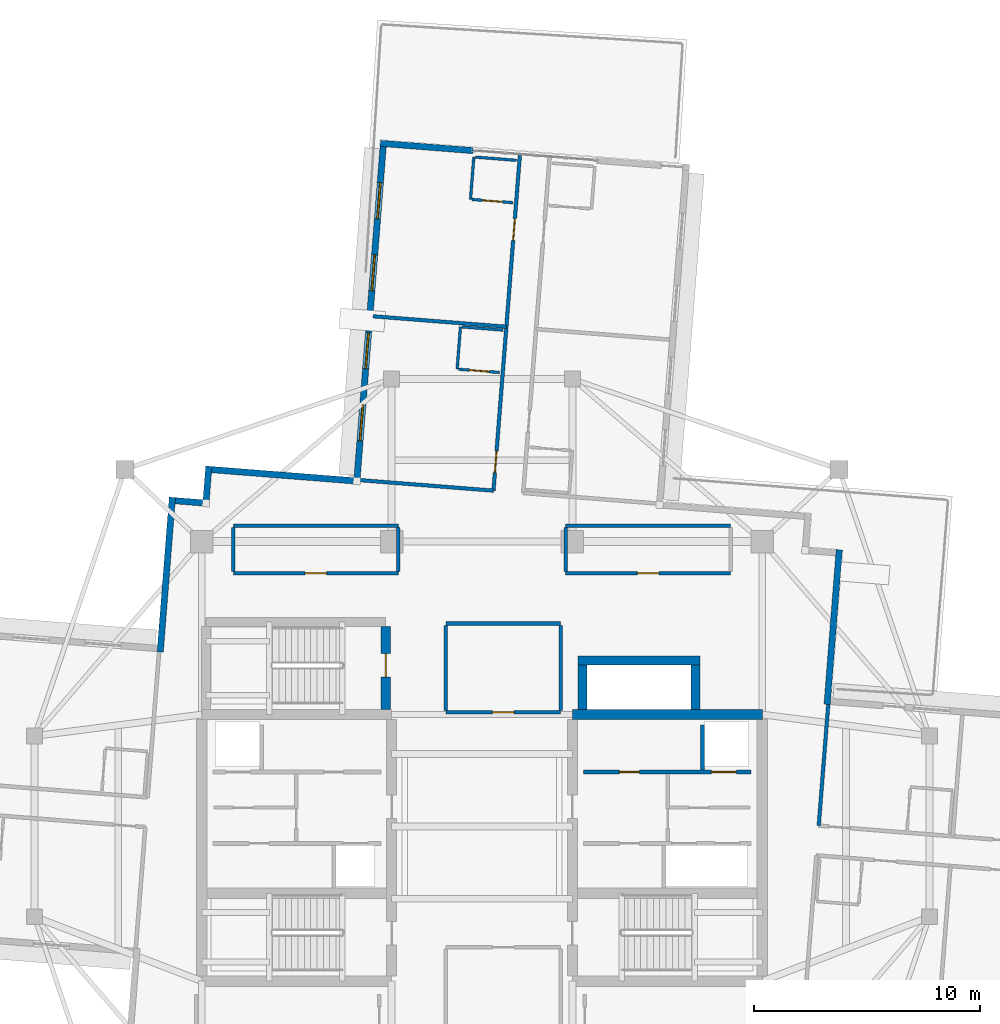
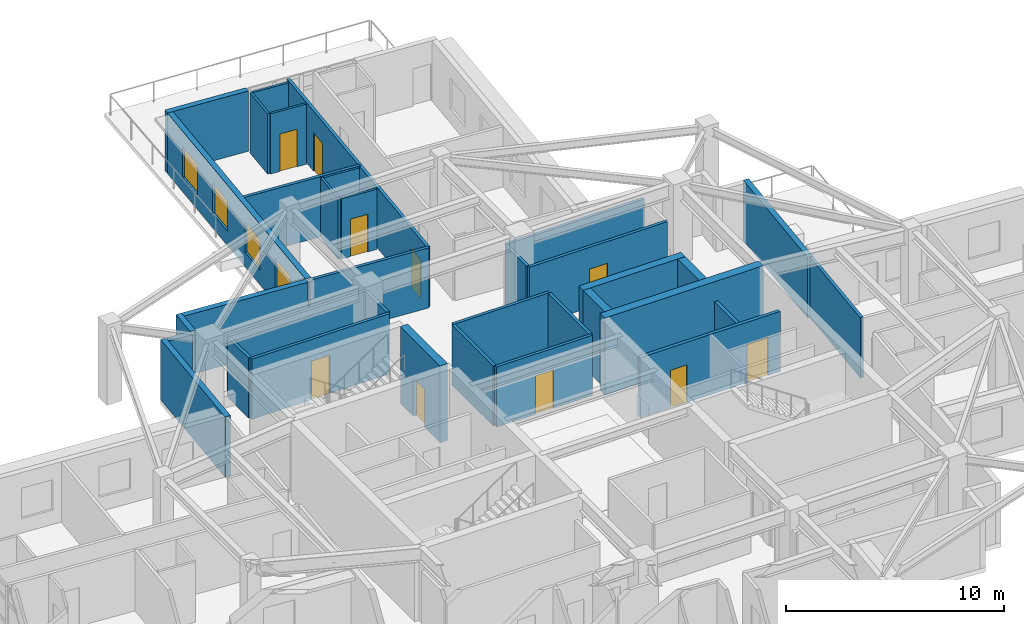
# One storey, part 17 of 23: 35 walls, 10 doors, 4 windows, 14 openings.
"""IFC4 building model written with IfcOpenShell, lengths in metres."""

from ifc_helpers import new_model, si_unit, direction, frame, frame_2d, origin, place, context, subcontext, project, spatial, rectangle, extrude, material, layer, layer_set, type_object, element, fill, save


model = new_model("IFC4")

# Units and contexts
model_context = context("Model", 3, precision=1e-05, world=origin(), true_north=direction((0.0, 1.0)))
body_context = subcontext(model_context, "Body", "Model", "MODEL_VIEW")
ifc_project = project(units=[si_unit("LENGTHUNIT", "METRE"), si_unit("AREAUNIT", "SQUARE_METRE"), si_unit("VOLUMEUNIT", "CUBIC_METRE"), si_unit("PLANEANGLEUNIT", "RADIAN"), si_unit("MASSUNIT", "GRAM", prefix="KILO")], contexts=[model_context])

# Site, building, storey
site_placement = place(None, origin())
site = spatial("IfcSite", under=ifc_project, at=site_placement, CompositionType="ELEMENT")
building_placement = place(site_placement, origin())
building = spatial("IfcBuilding", under=site, at=building_placement, Name="Qingluan Cross Belvedere", CompositionType="ELEMENT")
storey_placement = place(building_placement, frame((0.0, 0.0, 245.39990234375)))
storey = spatial("IfcBuildingStorey", under=building, at=storey_placement, Name="L61", CompositionType="ELEMENT", Elevation=245.39990234375)

# Wall
ifc_material_1 = material(Name="Concrete C50", Category="concrete")
ifc_layer_1 = layer(ifc_material_1, 0.449951171875, Name="CoreShearWall_450")
ifc_layer_set_1 = layer_set([ifc_layer_1], Name="Concrete C50")
wall_type_1 = type_object("IfcWallType", Name="CoreShearWall_450", PredefinedType="SHEAR", material=ifc_layer_set_1)
wall_1_placement = place(storey_placement, frame((4.0, 4.949951171875, 0.0), z_axis=(0.0, 0.0, 1.0), x_axis=(1.0, 0.0, 0.0)))
element("IfcWall", 1, at=wall_1_placement, inside=storey, type_object=wall_type_1, Name="Split core E shear wall L61-N", PredefinedType="SHEAR", context=body_context, shape_type="SweptSolid", body=[
    extrude(rectangle(XDim=8.39990234375, YDim=0.449951171875, at=frame_2d((4.199951171875, 0.0))), origin(), (0.0, 0.0, 1.0), 4.300048828125),
])

# Wall, opening, door
wall_2_placement = place(storey_placement, frame((-4.260009765625, 5.179931640625, 0.0), z_axis=(0.0, 0.0, 1.0), x_axis=(0.0, 1.0, 0.0)))
wall_2 = element("IfcWall", 2, at=wall_2_placement, inside=storey, type_object=wall_type_1, Name="Stair ST3 structural wall E L61", PredefinedType="SHEAR", context=body_context, shape_type="SweptSolid", body=[
    extrude(rectangle(XDim=3.655029296875, YDim=0.39990234375, at=frame_2d((1.82763671875, 0.0))), origin(), (0.0, 0.0, 1.0), 4.300048828125),
])
opening_1_placement = place(wall_2_placement, frame((1.419921875, 0.0, 0.0)))
opening_1 = element("IfcOpeningElement", 3, at=opening_1_placement, cuts=wall_2, Name="Opening FD-B11", PredefinedType="OPENING", context=body_context, shape_type="SweptSolid", body=[
    extrude(rectangle(XDim=1.050048828125, YDim=2.14990234375, at=frame_2d((0.52490234375, 1.074951171875))), frame((0.0, 0.2099609375, 0.0), z_axis=(0.0, -1.0, 0.0), x_axis=(1.0, 0.0, 0.0)), (0.0, 0.0, 1.0), 0.419921875),
])
ifc_material_2 = material(Name="Steel Class B smoke-seal fire door", Category="steel")
door_type_1 = type_object("IfcDoorType", Name="StairLobbyFireDoor_FDB", OperationType="NOTDEFINED", PredefinedType="DOOR", material=ifc_material_2)
door_1_placement = place(opening_1_placement, origin())
door_1 = element("IfcDoor", 4, at=door_1_placement, inside=storey, type_object=door_type_1, Name="Smoke-proof stair ST3 fire door L61", OperationType="SINGLE_SWING_LEFT", OverallHeight=2.14990234375, OverallWidth=1.050048828125, PredefinedType="DOOR", context=body_context, shape_type="SweptSolid", body=[
    extrude(rectangle(XDim=1.050048828125, YDim=2.14990234375, at=frame_2d((0.52490234375, 1.074951171875))), frame((0.0, 0.02490234375, 0.0), z_axis=(0.0, -1.0, 0.0), x_axis=(1.0, 0.0, 0.0)), (0.0, 0.0, 1.0), 0.050048828125),
])
fill(opening_1, door_1)

# Walls
wall_3_placement = place(storey_placement, frame((4.449951171875, 5.179931640625, 0.0), z_axis=(0.0, 0.0, 1.0), x_axis=(0.0, 1.0, 0.0)))
element("IfcWall", 5, at=wall_3_placement, inside=storey, type_object=wall_type_1, Name="Express shuttle core wall L61-W", PredefinedType="SHEAR", context=body_context, shape_type="SweptSolid", body=[
    extrude(rectangle(XDim=1.9599609375, YDim=0.39990234375, at=frame_2d((0.97998046875, 0.0))), origin(), (0.0, 0.0, 1.0), 4.300048828125),
])
wall_4_placement = place(storey_placement, frame((4.25, 7.35009765625, 0.0), z_axis=(0.0, 0.0, 1.0), x_axis=(1.0, 0.0, 0.0)))
element("IfcWall", 6, at=wall_4_placement, inside=storey, type_object=wall_type_1, Name="Express shuttle core wall L61-N", PredefinedType="SHEAR", context=body_context, shape_type="SweptSolid", body=[
    extrude(rectangle(XDim=5.39990234375, YDim=0.39990234375, at=frame_2d((2.699951171875, 0.0))), origin(), (0.0, 0.0, 1.0), 4.300048828125),
])
wall_5_placement = place(storey_placement, frame((9.449951171875, 5.179931640625, 0.0), z_axis=(0.0, 0.0, 1.0), x_axis=(0.0, 1.0, 0.0)))
element("IfcWall", 7, at=wall_5_placement, inside=storey, type_object=wall_type_1, Name="Express shuttle core wall L61-E", PredefinedType="SHEAR", context=body_context, shape_type="SweptSolid", body=[
    extrude(rectangle(XDim=1.9599609375, YDim=0.39990234375, at=frame_2d((0.97998046875, 0.0))), origin(), (0.0, 0.0, 1.0), 4.300048828125),
])

# Wall, opening, door
ifc_material_3 = material(Name="Gypsum plasterboard on steel stud acoustic partition", Category="steel")
ifc_layer_2 = layer(ifc_material_3, 0.159912109375, Name="CorridorPartition_160")
ifc_layer_set_2 = layer_set([ifc_layer_2], Name="Gypsum plasterboard on steel stud acoustic partition")
wall_type_2 = type_object("IfcWallType", Name="CorridorPartition_160", PredefinedType="PARTITIONING", material=ifc_layer_set_2)
wall_6_placement = place(storey_placement, frame((-11.0, 11.199951171875, 0.0), z_axis=(0.0, 0.0, 1.0), x_axis=(1.0, 0.0, 0.0)))
wall_6 = element("IfcWall", 8, at=wall_6_placement, inside=storey, type_object=wall_type_2, Name="Partition L61:q_nw_occ:S", PredefinedType="PARTITIONING", context=body_context, shape_type="SweptSolid", body=[
    extrude(rectangle(XDim=7.300048828125, YDim=0.159912109375, at=frame_2d((3.64990234375, 0.0))), origin(), (0.0, 0.0, 1.0), 3.3701171875),
])
opening_2_placement = place(wall_6_placement, frame((3.169921875, 0.0, 0.0)))
opening_2 = element("IfcOpeningElement", 9, at=opening_2_placement, cuts=wall_6, Name="Opening GD-10", PredefinedType="OPENING", context=body_context, shape_type="SweptSolid", body=[
    extrude(rectangle(XDim=0.9599609375, YDim=2.14990234375, at=frame_2d((0.47998046875, 1.074951171875))), frame((0.0, 0.08984375, 0.0), z_axis=(0.0, -1.0, 0.0), x_axis=(1.0, 0.0, 0.0)), (0.0, 0.0, 1.0), 0.179931640625),
])
ifc_material_4 = material(Name="Timber oak fire-rated acoustic guestroom door", Category="wood")
door_type_2 = type_object("IfcDoorType", Name="GuestEntryDoor_FD60", OperationType="NOTDEFINED", PredefinedType="DOOR", material=ifc_material_4)
door_2_placement = place(opening_2_placement, origin())
door_2 = element("IfcDoor", 10, at=door_2_placement, inside=storey, type_object=door_type_2, Name="Northwest sky reading salon L61 door", OperationType="SINGLE_SWING_RIGHT", OverallHeight=2.14990234375, OverallWidth=0.9599609375, PredefinedType="DOOR", context=body_context, shape_type="SweptSolid", body=[
    extrude(rectangle(XDim=0.9599609375, YDim=2.14990234375, at=frame_2d((0.47998046875, 1.074951171875))), frame((0.0, 0.02490234375, 0.0), z_axis=(0.0, -1.0, 0.0), x_axis=(1.0, 0.0, 0.0)), (0.0, 0.0, 1.0), 0.050048828125),
])
fill(opening_2, door_2)

# Walls
wall_7_placement = place(storey_placement, frame((-11.0, 13.300048828125, 0.0), z_axis=(0.0, 0.0, 1.0), x_axis=(1.0, 0.0, 0.0)))
element("IfcWall", 11, at=wall_7_placement, inside=storey, type_object=wall_type_2, Name="Partition L61:q_nw_occ:N", PredefinedType="PARTITIONING", context=body_context, shape_type="SweptSolid", body=[
    extrude(rectangle(XDim=7.300048828125, YDim=0.159912109375, at=frame_2d((3.64990234375, 0.0))), origin(), (0.0, 0.0, 1.0), 3.3701171875),
])
for number, where, z_axis, x_axis, name in (
    (12, (-11.0, 11.284912109375, 0.0), (0.0, 0.0, 1.0), (0.0, 1.0, 0.0), "Partition L61:q_nw_occ:W"),
    (13, (-3.699951171875, 11.284912109375, 0.0), (0.0, 0.0, 1.0), (0.0, 1.0, 0.0), "Partition L61:q_nw_occ:E"),
):
    element("IfcWall", number, at=place(storey_placement, frame(where, z_axis=z_axis, x_axis=x_axis)), inside=storey, type_object=wall_type_2, Name=name, PredefinedType="PARTITIONING", context=body_context, shape_type="SweptSolid", body=[
        extrude(rectangle(XDim=1.93017578125, YDim=0.159912109375, at=frame_2d((0.965087890625, 0.0))), origin(), (0.0, 0.0, 1.0), 3.3701171875),
    ])

# Wall, opening, door
wall_8_placement = place(storey_placement, frame((3.699951171875, 11.199951171875, 0.0), z_axis=(0.0, 0.0, 1.0), x_axis=(1.0, 0.0, 0.0)))
wall_8 = element("IfcWall", 14, at=wall_8_placement, inside=storey, type_object=wall_type_2, Name="Partition L61:q_ne:S", PredefinedType="PARTITIONING", context=body_context, shape_type="SweptSolid", body=[
    extrude(rectangle(XDim=7.300048828125, YDim=0.159912109375, at=frame_2d((3.64990234375, 0.0))), origin(), (0.0, 0.0, 1.0), 3.3701171875),
])
opening_3_placement = place(wall_8_placement, frame((3.169921875, 0.0, 0.0)))
opening_3 = element("IfcOpeningElement", 15, at=opening_3_placement, cuts=wall_8, Name="Opening GD-10", PredefinedType="OPENING", context=body_context, shape_type="SweptSolid", body=[
    extrude(rectangle(XDim=0.9599609375, YDim=2.14990234375, at=frame_2d((0.47998046875, 1.074951171875))), frame((0.0, 0.08984375, 0.0), z_axis=(0.0, -1.0, 0.0), x_axis=(1.0, 0.0, 0.0)), (0.0, 0.0, 1.0), 0.179931640625),
])
door_3_placement = place(opening_3_placement, origin())
door_3 = element("IfcDoor", 16, at=door_3_placement, inside=storey, type_object=door_type_2, Name="Executive dining room L61 door", OperationType="SINGLE_SWING_LEFT", OverallHeight=2.14990234375, OverallWidth=0.9599609375, PredefinedType="DOOR", context=body_context, shape_type="SweptSolid", body=[
    extrude(rectangle(XDim=0.9599609375, YDim=2.14990234375, at=frame_2d((0.47998046875, 1.074951171875))), frame((0.0, 0.02490234375, 0.0), z_axis=(0.0, -1.0, 0.0), x_axis=(1.0, 0.0, 0.0)), (0.0, 0.0, 1.0), 0.050048828125),
])
fill(opening_3, door_3)

# Walls
wall_9_placement = place(storey_placement, frame((3.699951171875, 13.300048828125, 0.0), z_axis=(0.0, 0.0, 1.0), x_axis=(1.0, 0.0, 0.0)))
element("IfcWall", 17, at=wall_9_placement, inside=storey, type_object=wall_type_2, Name="Partition L61:q_ne:N", PredefinedType="PARTITIONING", context=body_context, shape_type="SweptSolid", body=[
    extrude(rectangle(XDim=7.300048828125, YDim=0.159912109375, at=frame_2d((3.64990234375, 0.0))), origin(), (0.0, 0.0, 1.0), 3.3701171875),
])
wall_10_placement = place(storey_placement, frame((3.699951171875, 11.284912109375, 0.0), z_axis=(0.0, 0.0, 1.0), x_axis=(0.0, 1.0, 0.0)))
element("IfcWall", 18, at=wall_10_placement, inside=storey, type_object=wall_type_2, Name="Partition L61:q_ne:W", PredefinedType="PARTITIONING", context=body_context, shape_type="SweptSolid", body=[
    extrude(rectangle(XDim=1.93017578125, YDim=0.159912109375, at=frame_2d((0.965087890625, 0.0))), origin(), (0.0, 0.0, 1.0), 3.3701171875),
])

# Wall, opening, door
wall_11_placement = place(storey_placement, frame((-1.60009765625, 5.050048828125, 0.0), z_axis=(0.0, 0.0, 1.0), x_axis=(1.0, 0.0, 0.0)))
wall_11 = element("IfcWall", 19, at=wall_11_placement, inside=storey, type_object=wall_type_2, Name="Partition L61:sky_tea_alcove:S", PredefinedType="PARTITIONING", context=body_context, shape_type="SweptSolid", body=[
    extrude(rectangle(XDim=5.080078125, YDim=0.159912109375, at=frame_2d((2.5400390625, 0.0))), origin(), (0.0, 0.0, 1.0), 3.3701171875),
])
opening_4_placement = place(wall_11_placement, frame((2.06005859375, 0.0, 0.0)))
opening_4 = element("IfcOpeningElement", 20, at=opening_4_placement, cuts=wall_11, Name="Opening GD-10", PredefinedType="OPENING", context=body_context, shape_type="SweptSolid", body=[
    extrude(rectangle(XDim=0.9599609375, YDim=2.14990234375, at=frame_2d((0.47998046875, 1.074951171875))), frame((0.0, 0.08984375, 0.0), z_axis=(0.0, -1.0, 0.0), x_axis=(1.0, 0.0, 0.0)), (0.0, 0.0, 1.0), 0.179931640625),
])
door_4_placement = place(opening_4_placement, origin())
door_4 = element("IfcDoor", 21, at=door_4_placement, inside=storey, type_object=door_type_2, Name="Sky horizon tea salon L61 door", OperationType="SINGLE_SWING_RIGHT", OverallHeight=2.14990234375, OverallWidth=0.9599609375, PredefinedType="DOOR", context=body_context, shape_type="SweptSolid", body=[
    extrude(rectangle(XDim=0.9599609375, YDim=2.14990234375, at=frame_2d((0.47998046875, 1.074951171875))), frame((0.0, 0.02490234375, 0.0), z_axis=(0.0, -1.0, 0.0), x_axis=(1.0, 0.0, 0.0)), (0.0, 0.0, 1.0), 0.050048828125),
])
fill(opening_4, door_4)

# Walls
wall_12_placement = place(storey_placement, frame((-1.60009765625, 8.97998046875, 0.0), z_axis=(0.0, 0.0, 1.0), x_axis=(1.0, 0.0, 0.0)))
element("IfcWall", 22, at=wall_12_placement, inside=storey, type_object=wall_type_2, Name="Partition L61:sky_tea_alcove:N", PredefinedType="PARTITIONING", context=body_context, shape_type="SweptSolid", body=[
    extrude(rectangle(XDim=5.080078125, YDim=0.159912109375, at=frame_2d((2.5400390625, 0.0))), origin(), (0.0, 0.0, 1.0), 3.3701171875),
])
for number, where, z_axis, x_axis, name in (
    (23, (-1.60009765625, 5.135009765625, 0.0), (0.0, 0.0, 1.0), (0.0, 1.0, 0.0), "Partition L61:sky_tea_alcove:W"),
    (24, (3.47998046875, 5.135009765625, 0.0), (0.0, 0.0, 1.0), (0.0, 1.0, 0.0), "Partition L61:sky_tea_alcove:E"),
):
    element("IfcWall", number, at=place(storey_placement, frame(where, z_axis=z_axis, x_axis=x_axis)), inside=storey, type_object=wall_type_2, Name=name, PredefinedType="PARTITIONING", context=body_context, shape_type="SweptSolid", body=[
        extrude(rectangle(XDim=3.760009765625, YDim=0.159912109375, at=frame_2d((1.8798828125, 0.0))), origin(), (0.0, 0.0, 1.0), 3.3701171875),
    ])
wall_13_placement = place(storey_placement, frame((14.8984375, 0.03125, 0.0), z_axis=(0.0, 0.0, 1.0), x_axis=(0.078440999993, 0.996918757733, 0.0)))
element("IfcWall", 25, at=wall_13_placement, inside=storey, type_object=wall_type_2, Name="Partition L61:E:s0", PredefinedType="PARTITIONING", context=body_context, shape_type="SweptSolid", body=[
    extrude(rectangle(XDim=5.3720703125, YDim=0.159912109375, at=frame_2d((2.68603515625, 0.0))), origin(), (0.0, 0.0, 1.0), 3.3701171875),
])

# Wall, openings, doors
wall_14_placement = place(storey_placement, frame((0.507080078125, 14.85595703125, 0.0), z_axis=(0.0, 0.0, 1.0), x_axis=(0.078458290353, 0.996917397117, 0.0)))
wall_14 = element("IfcWall", 26, at=wall_14_placement, inside=storey, type_object=wall_type_2, Name="Partition L61:N:c1", PredefinedType="PARTITIONING", context=body_context, shape_type="SweptSolid", body=[
    extrude(rectangle(XDim=14.93017578125, YDim=0.159912109375, at=frame_2d((7.465087890625, 0.0))), origin(), (0.0, 0.0, 1.0), 3.3701171875),
])
opening_5_placement = place(wall_14_placement, frame((0.802001953125, 0.0, 0.0)))
opening_5 = element("IfcOpeningElement", 27, at=opening_5_placement, cuts=wall_14, Name="Opening GD-10", PredefinedType="OPENING", context=body_context, shape_type="SweptSolid", body=[
    extrude(rectangle(XDim=0.9599609375, YDim=2.14990234375, at=frame_2d((0.47998046875, 1.074951171875))), frame((0.0, 0.08984375, 0.0), z_axis=(0.0, -1.0, 0.0), x_axis=(1.0, 0.0, 0.0)), (0.0, 0.0, 1.0), 0.179931640625),
])
opening_6_placement = place(wall_14_placement, frame((11.115966796875, 0.0, 0.0)))
opening_6 = element("IfcOpeningElement", 28, at=opening_6_placement, cuts=wall_14, Name="Opening GD-10", PredefinedType="OPENING", context=body_context, shape_type="SweptSolid", body=[
    extrude(rectangle(XDim=0.9599609375, YDim=2.14990234375, at=frame_2d((0.47998046875, 1.074951171875))), frame((0.0, 0.08984375, 0.0), z_axis=(0.0, -1.0, 0.0), x_axis=(1.0, 0.0, 0.0)), (0.0, 0.0, 1.0), 0.179931640625),
])
door_5_placement = place(opening_5_placement, origin())
door_5 = element("IfcDoor", 29, at=door_5_placement, inside=storey, type_object=door_type_2, Name="Guest entry fire door 6111", OperationType="SINGLE_SWING_RIGHT", OverallHeight=2.14990234375, OverallWidth=0.9599609375, PredefinedType="DOOR", context=body_context, shape_type="SweptSolid", body=[
    extrude(rectangle(XDim=0.9599609375, YDim=2.14990234375, at=frame_2d((0.47998046875, 1.074951171875))), frame((0.0, 0.02490234375, 0.0), z_axis=(0.0, -1.0, 0.0), x_axis=(1.0, 0.0, 0.0)), (0.0, 0.0, 1.0), 0.050048828125),
])
fill(opening_5, door_5)
door_6_placement = place(opening_6_placement, origin())
door_6 = element("IfcDoor", 30, at=door_6_placement, inside=storey, type_object=door_type_2, Name="Guest entry fire door 6112", OperationType="SINGLE_SWING_RIGHT", OverallHeight=2.14990234375, OverallWidth=0.9599609375, PredefinedType="DOOR", context=body_context, shape_type="SweptSolid", body=[
    extrude(rectangle(XDim=0.9599609375, YDim=2.14990234375, at=frame_2d((0.47998046875, 1.074951171875))), frame((0.0, 0.02490234375, 0.0), z_axis=(0.0, -1.0, 0.0), x_axis=(1.0, 0.0, 0.0)), (0.0, 0.0, 1.0), 0.050048828125),
])
fill(opening_6, door_6)

# Walls
wall_15_placement = place(storey_placement, frame((0.507080078125, 14.85595703125, 0.0), z_axis=(0.0, 0.0, 1.0), x_axis=(-0.996915675155, 0.078480167113, 0.0)))
element("IfcWall", 31, at=wall_15_placement, inside=storey, type_object=wall_type_2, Name="Partition L61:N:s1", PredefinedType="PARTITIONING", context=body_context, shape_type="SweptSolid", body=[
    extrude(rectangle(XDim=6.06005859375, YDim=0.159912109375, at=frame_2d((3.030029296875, 0.0))), origin(), (0.0, 0.0, 1.0), 3.3701171875),
])
wall_16_placement = place(storey_placement, frame((1.077880859375, 22.107666015625, 0.0), z_axis=(0.0, 0.0, 1.0), x_axis=(-0.996920362457, 0.078420602639, 0.0)))
element("IfcWall", 32, at=wall_16_placement, inside=storey, type_object=wall_type_2, Name="Partition L61:N:d1_0", PredefinedType="PARTITIONING", context=body_context, shape_type="SweptSolid", body=[
    extrude(rectangle(XDim=5.912109375, YDim=0.159912109375, at=frame_2d((2.9560546875, 0.0))), origin(), (0.0, 0.0, 1.0), 3.3701171875),
])

# Wall, opening, door
ifc_material_5 = material(Name="Moisture-resistant gypsum board lining")
ifc_layer_3 = layer(ifc_material_5, 0.1201171875, Name="EnsuiteWetPartition_120")
ifc_layer_set_3 = layer_set([ifc_layer_3], Name="Moisture-resistant gypsum board lining")
wall_type_3 = type_object("IfcWallType", Name="EnsuiteWetPartition_120", PredefinedType="PARTITIONING", material=ifc_layer_set_3)
wall_17_placement = place(storey_placement, frame((-1.0361328125, 20.227783203125, 0.0), z_axis=(0.0, 0.0, 1.0), x_axis=(0.996916400774, -0.0784709492, 0.0)))
wall_17 = element("IfcWall", 33, at=wall_17_placement, inside=storey, type_object=wall_type_3, Name="Partition L61:N:bs1_0", PredefinedType="PARTITIONING", context=body_context, shape_type="SweptSolid", body=[
    extrude(rectangle(XDim=1.820068359375, YDim=0.1201171875, at=frame_2d((0.91015625, 0.0))), origin(), (0.0, 0.0, 1.0), 3.3701171875),
])
opening_7_placement = place(wall_17_placement, frame((0.469970703125, 0.0, 0.0)))
opening_7 = element("IfcOpeningElement", 34, at=opening_7_placement, cuts=wall_17, Name="Opening BD-09", PredefinedType="OPENING", context=body_context, shape_type="SweptSolid", body=[
    extrude(rectangle(XDim=0.8798828125, YDim=2.10009765625, at=frame_2d((0.43994140625, 1.050048828125))), frame((0.0, 0.070068359375, 0.0), z_axis=(0.0, -1.0, 0.0), x_axis=(1.0, 0.0, 0.0)), (0.0, 0.0, 1.0), 0.14013671875),
])
ifc_material_6 = material(Name="Moisture-sealed timber en-suite door", Category="wood")
door_type_3 = type_object("IfcDoorType", Name="BathroomDoor_880", OperationType="NOTDEFINED", PredefinedType="DOOR", material=ifc_material_6)
door_7_placement = place(opening_7_placement, origin())
door_7 = element("IfcDoor", 35, at=door_7_placement, inside=storey, type_object=door_type_3, Name="Bathroom door 6111", OperationType="SINGLE_SWING_LEFT", OverallHeight=2.10009765625, OverallWidth=0.8798828125, PredefinedType="DOOR", context=body_context, shape_type="SweptSolid", body=[
    extrude(rectangle(XDim=0.8798828125, YDim=2.10009765625, at=frame_2d((0.43994140625, 1.050048828125))), frame((0.0, 0.02490234375, 0.0), z_axis=(0.0, -1.0, 0.0), x_axis=(1.0, 0.0, 0.0)), (0.0, 0.0, 1.0), 0.050048828125),
])
fill(opening_7, door_7)

# Walls
wall_18_placement = place(storey_placement, frame((-0.888671875, 22.101806640625, 0.0), z_axis=(0.0, 0.0, 1.0), x_axis=(0.996916400774, -0.0784709492, 0.0)))
element("IfcWall", 36, at=wall_18_placement, inside=storey, type_object=wall_type_3, Name="Partition L61:N:bw1_0", PredefinedType="PARTITIONING", context=body_context, shape_type="SweptSolid", body=[
    extrude(rectangle(XDim=1.820068359375, YDim=0.1201171875, at=frame_2d((0.91015625, 0.0))), origin(), (0.0, 0.0, 1.0), 3.3701171875),
])
wall_19_placement = place(storey_placement, frame((-1.10107421875, 20.23291015625, 0.0), z_axis=(0.0, 0.0, 1.0), x_axis=(0.078573415792, 0.996908329954, 0.0)))
element("IfcWall", 37, at=wall_19_placement, inside=storey, type_object=wall_type_3, Name="Partition L61:N:bc1_0", PredefinedType="PARTITIONING", context=body_context, shape_type="SweptSolid", body=[
    extrude(rectangle(XDim=1.8798828125, YDim=0.1201171875, at=frame_2d((0.93994140625, 0.0))), origin(), (0.0, 0.0, 1.0), 3.3701171875),
])

# Wall, opening, door
wall_20_placement = place(storey_placement, frame((-0.44482421875, 27.740478515625, 0.0), z_axis=(0.0, 0.0, 1.0), x_axis=(0.996915574626, -0.078481444107, 0.0)))
wall_20 = element("IfcWall", 38, at=wall_20_placement, inside=storey, type_object=wall_type_3, Name="Partition L61:N:bs1_1", PredefinedType="PARTITIONING", context=body_context, shape_type="SweptSolid", body=[
    extrude(rectangle(XDim=1.81982421875, YDim=0.1201171875, at=frame_2d((0.909912109375, 0.0))), origin(), (0.0, 0.0, 1.0), 3.3701171875),
])
opening_8_placement = place(wall_20_placement, frame((0.469970703125, 0.0, 0.0)))
opening_8 = element("IfcOpeningElement", 39, at=opening_8_placement, cuts=wall_20, Name="Opening BD-09", PredefinedType="OPENING", context=body_context, shape_type="SweptSolid", body=[
    extrude(rectangle(XDim=0.8798828125, YDim=2.10009765625, at=frame_2d((0.43994140625, 1.050048828125))), frame((0.0, 0.070068359375, 0.0), z_axis=(0.0, -1.0, 0.0), x_axis=(1.0, 0.0, 0.0)), (0.0, 0.0, 1.0), 0.14013671875),
])
door_8_placement = place(opening_8_placement, origin())
door_8 = element("IfcDoor", 40, at=door_8_placement, inside=storey, type_object=door_type_3, Name="Bathroom door 6112", OperationType="SINGLE_SWING_LEFT", OverallHeight=2.10009765625, OverallWidth=0.8798828125, PredefinedType="DOOR", context=body_context, shape_type="SweptSolid", body=[
    extrude(rectangle(XDim=0.8798828125, YDim=2.10009765625, at=frame_2d((0.43994140625, 1.050048828125))), frame((0.0, 0.02490234375, 0.0), z_axis=(0.0, -1.0, 0.0), x_axis=(1.0, 0.0, 0.0)), (0.0, 0.0, 1.0), 0.050048828125),
])
fill(opening_8, door_8)

# Walls
wall_21_placement = place(storey_placement, frame((-0.29736328125, 29.614501953125, 0.0), z_axis=(0.0, 0.0, 1.0), x_axis=(0.996916400774, -0.0784709492, 0.0)))
element("IfcWall", 41, at=wall_21_placement, inside=storey, type_object=wall_type_3, Name="Partition L61:N:bw1_1", PredefinedType="PARTITIONING", context=body_context, shape_type="SweptSolid", body=[
    extrude(rectangle(XDim=1.820068359375, YDim=0.1201171875, at=frame_2d((0.91015625, 0.0))), origin(), (0.0, 0.0, 1.0), 3.3701171875),
])
wall_22_placement = place(storey_placement, frame((-0.509765625, 27.74560546875, 0.0), z_axis=(0.0, 0.0, 1.0), x_axis=(0.078444342213, 0.99691849475, 0.0)))
element("IfcWall", 42, at=wall_22_placement, inside=storey, type_object=wall_type_3, Name="Partition L61:N:bc1_1", PredefinedType="PARTITIONING", context=body_context, shape_type="SweptSolid", body=[
    extrude(rectangle(XDim=1.8798828125, YDim=0.1201171875, at=frame_2d((0.93994140625, 0.0))), origin(), (0.0, 0.0, 1.0), 3.3701171875),
])

# Wall, openings, windows
ifc_material_7 = material(Name="Precast concrete C45", Category="concrete")
ifc_layer_4 = layer(ifc_material_7, 0.280029296875, Name="PrecastFacadeWall_280")
ifc_layer_set_4 = layer_set([ifc_layer_4], Name="Precast concrete C45")
wall_type_4 = type_object("IfcWallType", Name="PrecastFacadeWall_280", PredefinedType="STANDARD", material=ifc_layer_set_4)
wall_23_placement = place(storey_placement, frame((-4.373779296875, 30.075927734375, 0.0), z_axis=(0.0, 0.0, 1.0), x_axis=(-0.078456642068, -0.996917526837, 0.0)))
wall_23 = element("IfcWall", 43, at=wall_23_placement, inside=storey, type_object=wall_type_4, Name="Facade wall L61-NB", PredefinedType="STANDARD", context=body_context, shape_type="SweptSolid", body=[
    extrude(rectangle(XDim=14.7001953125, YDim=0.280029296875, at=frame_2d((7.35009765625, 0.0))), origin(), (0.0, 0.0, 1.0), 3.380126953125),
])
opening_9_placement = place(wall_23_placement, frame((1.60009765625, 0.0, 0.800048828125)))
opening_9 = element("IfcOpeningElement", 44, at=opening_9_placement, cuts=wall_23, Name="Opening W-04", PredefinedType="OPENING", context=body_context, shape_type="SweptSolid", body=[
    extrude(rectangle(XDim=1.60009765625, YDim=1.699951171875, at=frame_2d((0.800048828125, 0.85009765625))), frame((0.0, 0.14990234375, 0.0), z_axis=(0.0, -1.0, 0.0), x_axis=(1.0, 0.0, 0.0)), (0.0, 0.0, 1.0), 0.300048828125),
])
opening_10_placement = place(wall_23_placement, frame((4.800048828125, 0.0, 0.800048828125)))
opening_10 = element("IfcOpeningElement", 45, at=opening_10_placement, cuts=wall_23, Name="Opening W-04", PredefinedType="OPENING", context=body_context, shape_type="SweptSolid", body=[
    extrude(rectangle(XDim=1.60009765625, YDim=1.699951171875, at=frame_2d((0.800048828125, 0.85009765625))), frame((0.0, 0.14990234375, 0.0), z_axis=(0.0, -1.0, 0.0), x_axis=(1.0, 0.0, 0.0)), (0.0, 0.0, 1.0), 0.300048828125),
])
opening_11_placement = place(wall_23_placement, frame((8.25, 0.0, 0.800048828125)))
opening_11 = element("IfcOpeningElement", 46, at=opening_11_placement, cuts=wall_23, Name="Opening W-04", PredefinedType="OPENING", context=body_context, shape_type="SweptSolid", body=[
    extrude(rectangle(XDim=1.60009765625, YDim=1.699951171875, at=frame_2d((0.800048828125, 0.85009765625))), frame((0.0, 0.14990234375, 0.0), z_axis=(0.0, -1.0, 0.0), x_axis=(1.0, 0.0, 0.0)), (0.0, 0.0, 1.0), 0.300048828125),
])
opening_12_placement = place(wall_23_placement, frame((11.449951171875, 0.0, 0.800048828125)))
opening_12 = element("IfcOpeningElement", 47, at=opening_12_placement, cuts=wall_23, Name="Opening W-04", PredefinedType="OPENING", context=body_context, shape_type="SweptSolid", body=[
    extrude(rectangle(XDim=1.60009765625, YDim=1.699951171875, at=frame_2d((0.800048828125, 0.85009765625))), frame((0.0, 0.14990234375, 0.0), z_axis=(0.0, -1.0, 0.0), x_axis=(1.0, 0.0, 0.0)), (0.0, 0.0, 1.0), 0.300048828125),
])
ifc_material_8 = material(Name="Thermally broken triple Low-E glass in aluminium frame", Category="aluminium")
window_type = type_object("IfcWindowType", Name="SuiteCornerWin_1600x1700", PartitioningType="SINGLE_PANEL", PredefinedType="WINDOW", material=ifc_material_8)
window_1_placement = place(opening_9_placement, origin())
window_1 = element("IfcWindow", 48, at=window_1_placement, inside=storey, type_object=window_type, Name="Ribbon window L61-NB-1", OverallHeight=1.699951171875, OverallWidth=1.60009765625, PartitioningType="SINGLE_PANEL", PredefinedType="WINDOW", context=body_context, shape_type="SweptSolid", body=[
    extrude(rectangle(XDim=1.60009765625, YDim=1.699951171875, at=frame_2d((0.800048828125, 0.85009765625))), frame((0.0, 0.030029296875, 0.0), z_axis=(0.0, -1.0, 0.0), x_axis=(1.0, 0.0, 0.0)), (0.0, 0.0, 1.0), 0.06005859375),
])
fill(opening_9, window_1)
window_2_placement = place(opening_10_placement, origin())
window_2 = element("IfcWindow", 49, at=window_2_placement, inside=storey, type_object=window_type, Name="Ribbon window L61-NB-2", OverallHeight=1.699951171875, OverallWidth=1.60009765625, PartitioningType="SINGLE_PANEL", PredefinedType="WINDOW", context=body_context, shape_type="SweptSolid", body=[
    extrude(rectangle(XDim=1.60009765625, YDim=1.699951171875, at=frame_2d((0.800048828125, 0.85009765625))), frame((0.0, 0.030029296875, 0.0), z_axis=(0.0, -1.0, 0.0), x_axis=(1.0, 0.0, 0.0)), (0.0, 0.0, 1.0), 0.06005859375),
])
fill(opening_10, window_2)
window_3_placement = place(opening_11_placement, origin())
window_3 = element("IfcWindow", 50, at=window_3_placement, inside=storey, type_object=window_type, Name="Ribbon window L61-NB-3", OverallHeight=1.699951171875, OverallWidth=1.60009765625, PartitioningType="SINGLE_PANEL", PredefinedType="WINDOW", context=body_context, shape_type="SweptSolid", body=[
    extrude(rectangle(XDim=1.60009765625, YDim=1.699951171875, at=frame_2d((0.800048828125, 0.85009765625))), frame((0.0, 0.030029296875, 0.0), z_axis=(0.0, -1.0, 0.0), x_axis=(1.0, 0.0, 0.0)), (0.0, 0.0, 1.0), 0.06005859375),
])
fill(opening_11, window_3)
window_4_placement = place(opening_12_placement, origin())
window_4 = element("IfcWindow", 51, at=window_4_placement, inside=storey, type_object=window_type, Name="Ribbon window L61-NB-4", OverallHeight=1.699951171875, OverallWidth=1.60009765625, PartitioningType="SINGLE_PANEL", PredefinedType="WINDOW", context=body_context, shape_type="SweptSolid", body=[
    extrude(rectangle(XDim=1.60009765625, YDim=1.699951171875, at=frame_2d((0.800048828125, 0.85009765625))), frame((0.0, 0.030029296875, 0.0), z_axis=(0.0, -1.0, 0.0), x_axis=(1.0, 0.0, 0.0)), (0.0, 0.0, 1.0), 0.06005859375),
])
fill(opening_12, window_4)

# Walls
wall_24_placement = place(storey_placement, frame((-0.39892578125, 29.903564453125, 0.0), z_axis=(0.0, 0.0, 1.0), x_axis=(-0.996920764105, 0.078415496528, 0.0)))
element("IfcWall", 52, at=wall_24_placement, inside=storey, type_object=wall_type_4, Name="Terrace portal jamb wall L61-N2", PredefinedType="STANDARD", context=body_context, shape_type="SweptSolid", body=[
    extrude(rectangle(XDim=4.115966796875, YDim=0.280029296875, at=frame_2d((2.05810546875, 0.0))), origin(), (0.0, 0.0, 1.0), 3.380126953125),
])
for number, where, z_axis, x_axis, name in (
    (53, (15.2705078125, 5.3984375, 0.0), (0.0, 0.0, 1.0), (0.078473519122, 0.996916198482, 0.0), "Corner wall L61-NE1"),
    (54, (-14.238037109375, 7.720947265625, 0.0), (0.0, 0.0, 1.0), (0.078438149236, 0.996918982036, 0.0), "Corner wall L61-NW1"),
):
    element("IfcWall", number, at=place(storey_placement, frame(where, z_axis=z_axis, x_axis=x_axis)), inside=storey, type_object=wall_type_4, Name=name, PredefinedType="STANDARD", context=body_context, shape_type="SweptSolid", body=[
        extrude(rectangle(XDim=6.860107421875, YDim=0.280029296875, at=frame_2d((3.43017578125, 0.0))), origin(), (0.0, 0.0, 1.0), 3.380126953125),
    ])
wall_25_placement = place(storey_placement, frame((-13.5712890625, 14.4091796875, 0.0), z_axis=(0.0, 0.0, 1.0), x_axis=(0.996918772, -0.078440818672, 0.0)))
element("IfcWall", 55, at=wall_25_placement, inside=storey, type_object=wall_type_4, Name="Corner wall L61-NW2", PredefinedType="STANDARD", context=body_context, shape_type="SweptSolid", body=[
    extrude(rectangle(XDim=1.219970703125, YDim=0.280029296875, at=frame_2d((0.60986328125, 0.0))), origin(), (0.0, 0.0, 1.0), 3.380126953125),
])
wall_26_placement = place(storey_placement, frame((-12.20458984375, 14.442138671875, 0.0), z_axis=(0.0, 0.0, 1.0), x_axis=(0.078451338629, 0.9969179442, 0.0)))
element("IfcWall", 56, at=wall_26_placement, inside=storey, type_object=wall_type_4, Name="Corner wall L61-NW3", PredefinedType="STANDARD", context=body_context, shape_type="SweptSolid", body=[
    extrude(rectangle(XDim=1.5, YDim=0.280029296875, at=frame_2d((0.75, 0.0))), origin(), (0.0, 0.0, 1.0), 3.380126953125),
])
wall_27_placement = place(storey_placement, frame((-11.958251953125, 15.786865234375, 0.0), z_axis=(0.0, 0.0, 1.0), x_axis=(0.996916125428, -0.078474447191, 0.0)))
element("IfcWall", 57, at=wall_27_placement, inside=storey, type_object=wall_type_4, Name="Corner wall L61-NW4", PredefinedType="STANDARD", context=body_context, shape_type="SweptSolid", body=[
    extrude(rectangle(XDim=6.300048828125, YDim=0.280029296875, at=frame_2d((3.14990234375, 0.0))), origin(), (0.0, 0.0, 1.0), 3.380126953125),
])

# Wall, openings, doors
ifc_material_9 = material(Name="Concrete C40", Category="concrete")
ifc_layer_5 = layer(ifc_material_9, 0.219970703125, Name="ShaftEnclosureWall_250")
ifc_layer_set_5 = layer_set([ifc_layer_5], Name="Concrete C40")
wall_type_5 = type_object("IfcWallType", Name="ShaftEnclosureWall_250", PredefinedType="SOLIDWALL", material=ifc_layer_set_5)
wall_28_placement = place(storey_placement, frame((4.47998046875, 2.409912109375, 0.0), z_axis=(0.0, 0.0, 1.0), x_axis=(1.0, 0.0, 0.0)))
wall_28 = element("IfcWall", 58, at=wall_28_placement, inside=storey, type_object=wall_type_5, Name="Core-E north hoistway wall L61", PredefinedType="SOLIDWALL", context=body_context, shape_type="SweptSolid", body=[
    extrude(rectangle(XDim=7.419921875, YDim=0.179931640625, at=frame_2d((3.7099609375, 0.0))), origin(), (0.0, 0.0, 1.0), 3.3701171875),
])
opening_13_placement = place(wall_28_placement, frame((5.669921875, 0.0, 0.0)))
opening_13 = element("IfcOpeningElement", 59, at=opening_13_placement, cuts=wall_28, Name="Opening LD-11", PredefinedType="OPENING", context=body_context, shape_type="SweptSolid", body=[
    extrude(rectangle(XDim=1.10009765625, YDim=2.14990234375, at=frame_2d((0.550048828125, 1.074951171875))), frame((0.0, 0.099853515625, 0.0), z_axis=(0.0, -1.0, 0.0), x_axis=(1.0, 0.0, 0.0)), (0.0, 0.0, 1.0), 0.199951171875),
])
opening_14_placement = place(wall_28_placement, frame((1.60009765625, 0.0, 0.0)))
opening_14 = element("IfcOpeningElement", 60, at=opening_14_placement, cuts=wall_28, Name="Opening FD-B10", PredefinedType="OPENING", context=body_context, shape_type="SweptSolid", body=[
    extrude(rectangle(XDim=0.8798828125, YDim=2.10009765625, at=frame_2d((0.43994140625, 1.050048828125))), frame((0.0, 0.099853515625, 0.0), z_axis=(0.0, -1.0, 0.0), x_axis=(1.0, 0.0, 0.0)), (0.0, 0.0, 1.0), 0.199951171875),
])
ifc_material_10 = material(Name="Brushed stainless steel centre-opening lift landing door", Category="steel")
door_type_4 = type_object("IfcDoorType", Name="LiftLandingSlidingDoor_1100", OperationType="DOUBLE_DOOR_SLIDING", PredefinedType="DOOR", material=ifc_material_10)
door_9_placement = place(opening_13_placement, origin())
door_9 = element("IfcDoor", 61, at=door_9_placement, inside=storey, type_object=door_type_4, Name="Lift landing sliding door FL2 L61", OperationType="DOUBLE_DOOR_SLIDING", OverallHeight=2.14990234375, OverallWidth=1.10009765625, PredefinedType="DOOR", context=body_context, shape_type="SweptSolid", body=[
    extrude(rectangle(XDim=1.10009765625, YDim=2.14990234375, at=frame_2d((0.550048828125, 1.074951171875))), frame((0.0, 0.02490234375, 0.0), z_axis=(0.0, -1.0, 0.0), x_axis=(1.0, 0.0, 0.0)), (0.0, 0.0, 1.0), 0.050048828125),
])
fill(opening_13, door_9)
ifc_material_11 = material(Name="Steel Class B service fire door", Category="steel")
door_type_5 = type_object("IfcDoorType", Name="RiserServiceFireDoor_FDB", OperationType="NOTDEFINED", PredefinedType="DOOR", material=ifc_material_11)
door_10_placement = place(opening_14_placement, origin())
door_10 = element("IfcDoor", 62, at=door_10_placement, inside=storey, type_object=door_type_5, Name="Pantry room door E L61", OperationType="SINGLE_SWING_LEFT", OverallHeight=2.10009765625, OverallWidth=0.8798828125, PredefinedType="DOOR", context=body_context, shape_type="SweptSolid", body=[
    extrude(rectangle(XDim=0.8798828125, YDim=2.10009765625, at=frame_2d((0.43994140625, 1.050048828125))), frame((0.0, 0.02490234375, 0.0), z_axis=(0.0, -1.0, 0.0), x_axis=(1.0, 0.0, 0.0)), (0.0, 0.0, 1.0), 0.050048828125),
])
fill(opening_14, door_10)

# Wall
wall_29_placement = place(storey_placement, frame((9.760009765625, 2.5, 0.0), z_axis=(0.0, 0.0, 1.0), x_axis=(0.0, 1.0, 0.0)))
element("IfcWall", 63, at=wall_29_placement, inside=storey, type_object=wall_type_5, Name="Hoistway enclosure divider FL2W L61", PredefinedType="SOLIDWALL", context=body_context, shape_type="SweptSolid", body=[
    extrude(rectangle(XDim=1.989990234375, YDim=0.179931640625, at=frame_2d((0.9951171875, 0.0))), origin(), (0.0, 0.0, 1.0), 3.3701171875),
])

save(model, "model.ifc")
